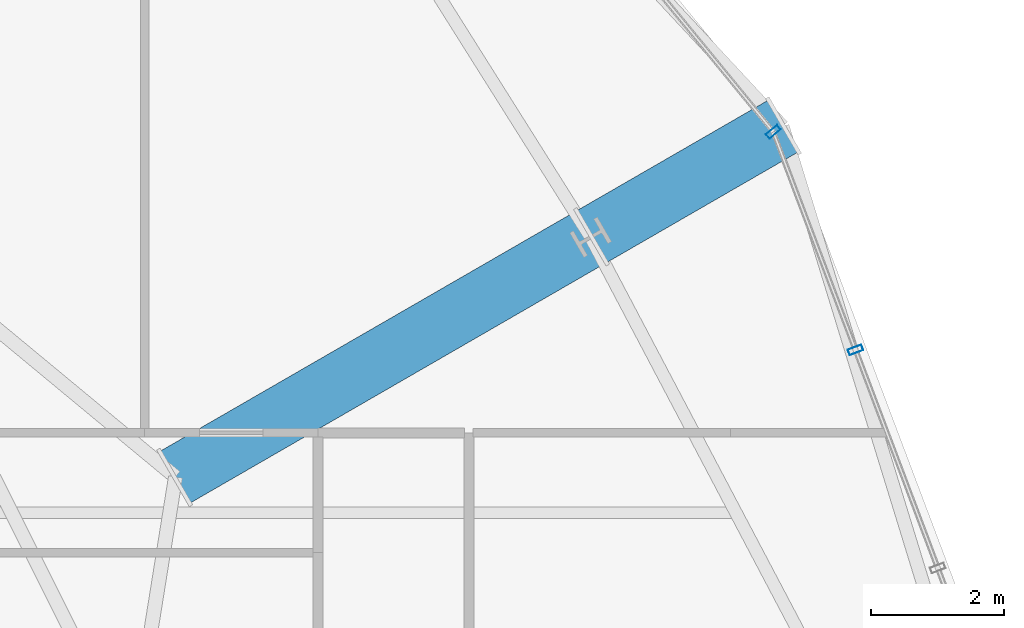
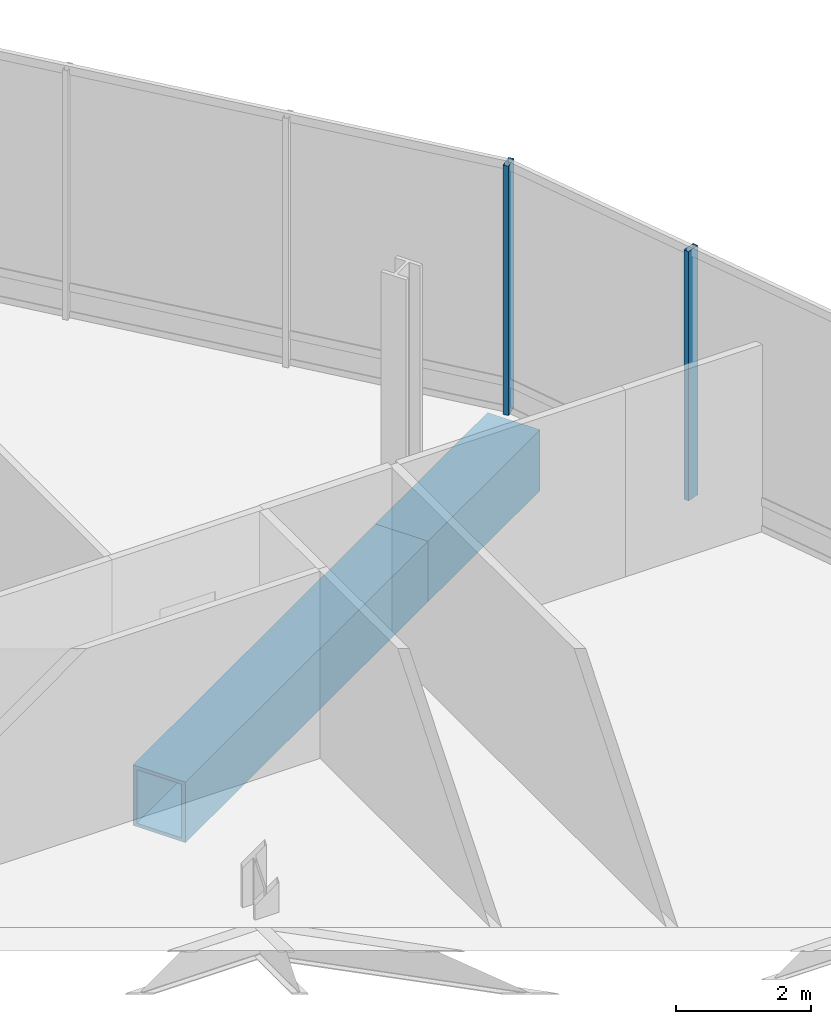
# One storey, part 14 of 26: 2 beams, 2 members, 2 elements without a shape of their own.
"""IFC4 building model written with IfcOpenShell, lengths in metres."""

from ifc_helpers import new_model, si_unit, direction, frame, origin, origin_2d, place, context, subcontext, project, spatial, hollow_rectangle, extrude, material, layer, layer_set, material_profile, profile_set, type_object, element, aggregate, save


model = new_model("IFC4")

# Units and contexts
model_context = context("Model", 3, precision=1e-05, world=origin(), true_north=direction((0.0, 1.0)))
body_context = subcontext(model_context, "Body", "Model", "MODEL_VIEW")
ifc_project = project(units=[si_unit("LENGTHUNIT", "METRE"), si_unit("AREAUNIT", "SQUARE_METRE"), si_unit("VOLUMEUNIT", "CUBIC_METRE"), si_unit("PLANEANGLEUNIT", "RADIAN"), si_unit("MASSUNIT", "GRAM", prefix="KILO")], contexts=[model_context])

# Site, building, storey
site_placement = place(None, origin())
site = spatial("IfcSite", under=ifc_project, at=site_placement, CompositionType="ELEMENT")
building_placement = place(site_placement, origin())
building = spatial("IfcBuilding", under=site, at=building_placement, Name="Ndaravel Arena Tower", CompositionType="ELEMENT")
storey_placement = place(building_placement, frame((0.0, 0.0, 117.39990234375)))
storey = spatial("IfcBuildingStorey", under=building, at=storey_placement, Name="L27", CompositionType="ELEMENT", Elevation=117.39990234375)

# Beams
ifc_material_1 = material(Name="Steel S460", Category="steel")
ifc_material_profile_1 = material_profile(ifc_material_1, hollow_rectangle(XDim=0.89990234375, YDim=1.10009765625, WallThickness=0.06494140625, at=origin_2d()), Name="BOX 1100x900x65")
ifc_profile_set_1 = profile_set([ifc_material_profile_1], Name="Steel S460")
beam_type = type_object("IfcBeamType", Name="BM-STAR-BOX1100", PredefinedType="BEAM", material=ifc_profile_set_1)
beam_1_placement = place(storey_placement, frame((50.462890625, 27.33837890625, -0.829833984375), z_axis=(0.866033125095, 0.499986626058, 0.0), x_axis=(-0.499986626058, 0.866033125095, 0.0)))
element("IfcBeam", 1, at=beam_1_placement, inside=storey, type_object=beam_type, Name="L27 Star Cantilever Backspan Girder SBG-4", PredefinedType="BEAM", context=body_context, shape_type="SweptSolid", body=[
    extrude(hollow_rectangle(XDim=0.89990234375, YDim=1.10009765625, WallThickness=0.06494140625, at=origin_2d()), origin(), (0.0, 0.0, 1.0), 7.199951171875),
])
beam_2_placement = place(storey_placement, frame((56.6982421875, 30.938232421875, -0.829833984375), z_axis=(0.866032982159, 0.499986873641, 0.0), x_axis=(-0.499986873641, 0.866032982159, 0.0)))
element("IfcBeam", 2, at=beam_2_placement, inside=storey, type_object=beam_type, Name="L27 Star Cantilever Tip Girder SCG-4", PredefinedType="BEAM", context=body_context, shape_type="SweptSolid", body=[
    extrude(hollow_rectangle(XDim=0.89990234375, YDim=1.10009765625, WallThickness=0.06494140625, at=origin_2d()), origin(), (0.0, 0.0, 1.0), 3.330078125),
])

# Curtain wall, member
ifc_material_2 = material(Name="Aluminium", Category="aluminium")
ifc_layer = layer(ifc_material_2, 0.179931640625)
ifc_layer_set = layer_set([ifc_layer], Name="Aluminium")
curtain_wall_type = type_object("IfcCurtainWallType", Name="CW-SYS-04", PredefinedType="NOTDEFINED", material=ifc_layer_set)
curtain_wall_1_placement = place(storey_placement, origin())
curtain_wall_1 = element("IfcCurtainWall", 3, at=curtain_wall_1_placement, inside=storey, type_object=curtain_wall_type, Name="L27 Faceted Crystal Curtain Wall CW-L27-E06", PredefinedType="NOTDEFINED")
ifc_material_3 = material(Name="Aluminium", Category="aluminium")
ifc_material_profile_2 = material_profile(ifc_material_3, hollow_rectangle(XDim=0.090087890625, YDim=0.219970703125, WallThickness=0.0048828125, at=origin_2d()), Name="CW MULLION 90x220x5")
ifc_profile_set_2 = profile_set([ifc_material_profile_2], Name="Aluminium")
member_type = type_object("IfcMemberType", Name="MEM-CW-MUL220", PredefinedType="MULLION", material=ifc_profile_set_2)
member_1_placement = place(storey_placement, frame((60.677001953125, 29.24609375, 0.0), z_axis=(0.0, 0.0, 1.0), x_axis=(-0.352805363625, 0.935696732599, 0.0)))
member_1 = element("IfcMember", 4, at=member_1_placement, type_object=member_type, Name="CW-L27-E06 Mullion 04", PredefinedType="MULLION", context=body_context, shape_type="SweptSolid", body=[
    extrude(hollow_rectangle(XDim=0.090087890625, YDim=0.219970703125, WallThickness=0.0048828125, at=origin_2d()), origin(), (0.0, 0.0, 1.0), 4.52001953125),
])
aggregate(curtain_wall_1, [member_1])

curtain_wall_2_placement = place(storey_placement, origin())
curtain_wall_2 = element("IfcCurtainWall", 5, at=curtain_wall_2_placement, inside=storey, type_object=curtain_wall_type, Name="L27 Faceted Crystal Curtain Wall CW-L27-E07", PredefinedType="NOTDEFINED")
member_2_placement = place(storey_placement, frame((59.44189453125, 32.522216796875, 0.0), z_axis=(0.0, 0.0, 1.0), x_axis=(-0.633934458857, 0.773386773791, 0.0)))
member_2 = element("IfcMember", 6, at=member_2_placement, type_object=member_type, Name="CW-L27-E07 Mullion 00", PredefinedType="MULLION", context=body_context, shape_type="SweptSolid", body=[
    extrude(hollow_rectangle(XDim=0.090087890625, YDim=0.219970703125, WallThickness=0.0048828125, at=origin_2d()), origin(), (0.0, 0.0, 1.0), 4.52001953125),
])
aggregate(curtain_wall_2, [member_2])

save(model, "model.ifc")
